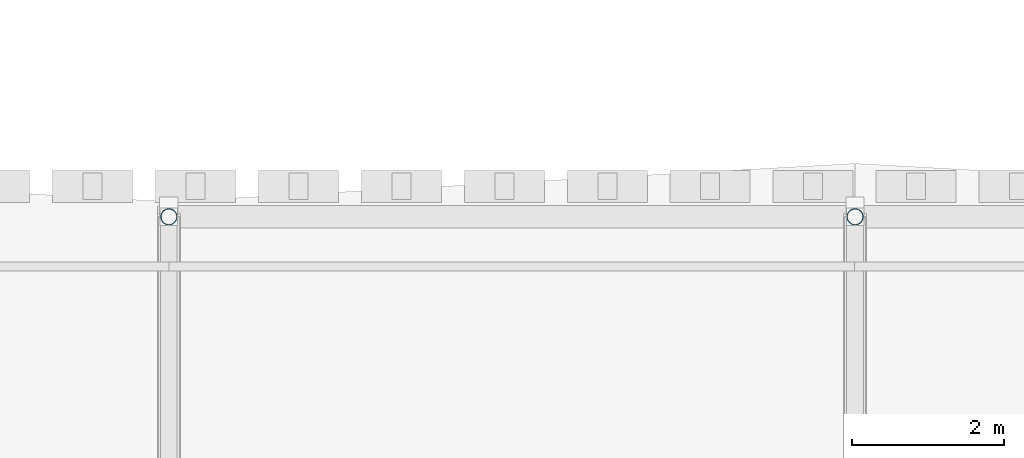
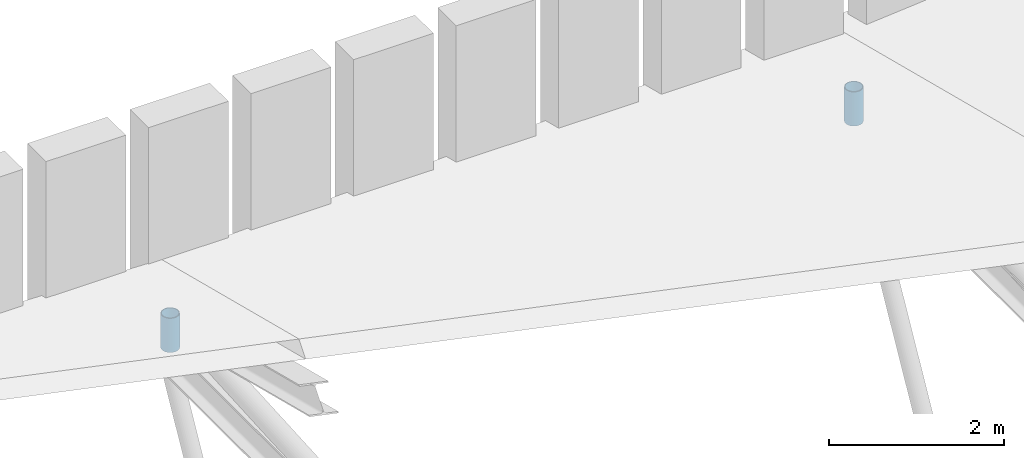
# One storey, part 30 of 42: 2 members.
"""IFC4 building model written with IfcOpenShell, lengths in metres."""

import ifcopenshell
import ifcopenshell.guid

model = None  # the IFC model being written
_history = None  # IfcOwnerHistory: only IFC2X3 demands one
_inside = {}  # id of a spatial element -> (the spatial element, [elements in it])
_under = {}  # id of a project, library or spatial element -> (it, [spatial elements below it])
_declared = {}  # id of a project -> (the project, [libraries it declares])
_typed = {}  # id of a type object -> (the type object, [elements of that type])
_made_of = {}  # id of a material, layer set ... -> (it, [elements and type objects made of it])


def new_model(schema):
    """Start an empty IFC model of exactly this schema.

    Asked for "IFC4X3", IfcOpenShell would pick the latest addendum, in which some entities
    have other attributes; the version numbers below select the first issue.
    IFC2X3 requires an IfcOwnerHistory on every rooted entity: one is made here for all.
    """
    global model, _history
    if schema == "IFC4X3":
        model = ifcopenshell.file(schema_version=(4, 3, 0, 0))
    else:
        model = ifcopenshell.file(schema=schema)
    _inside.clear()
    _under.clear()
    _declared.clear()
    _typed.clear()
    _made_of.clear()
    _history = None
    if model.schema == "IFC2X3":
        org = make("IfcOrganization", Name="unknown")
        user = make(
            "IfcPersonAndOrganization",
            ThePerson=make("IfcPerson", FamilyName="unknown"),
            TheOrganization=org,
        )
        app = make(
            "IfcApplication",
            ApplicationDeveloper=org,
            Version="unknown",
            ApplicationFullName="unknown",
            ApplicationIdentifier="unknown",
        )
        _history = make(
            "IfcOwnerHistory",
            OwningUser=user,
            OwningApplication=app,
            ChangeAction="ADDED",
            CreationDate=0,
        )
    return model


def make(cls, **values):
    """One entity of the class cls with the attributes given. An attribute that is None is left unset."""
    return model.create_entity(
        cls, **{name: value for name, value in values.items() if value is not None}
    )


def rooted(cls, **values):
    """An entity with a GlobalId (a new one), such as an element, a storey or a relation."""
    return make(cls, GlobalId=ifcopenshell.guid.new(), OwnerHistory=_history, **values)


def si_unit(unit_type, name, prefix=None):
    """IfcSIUnit, for example si_unit("LENGTHUNIT", "METRE", prefix="MILLI")."""
    return make("IfcSIUnit", UnitType=unit_type, Prefix=prefix, Name=name)


def assignment(units):
    """IfcUnitAssignment: the units of a project."""
    return None if units is None else make("IfcUnitAssignment", Units=units)


def point(xyz):
    """IfcCartesianPoint."""
    return None if xyz is None else make("IfcCartesianPoint", Coordinates=xyz)


def direction(xyz):
    """IfcDirection."""
    return None if xyz is None else make("IfcDirection", DirectionRatios=xyz)


def frame(location, z_axis=None, x_axis=None):
    """IfcAxis2Placement3D, a coordinate frame: its origin and axes. An axis left out is left unset."""
    return make(
        "IfcAxis2Placement3D",
        Location=point(location),
        Axis=direction(z_axis),
        RefDirection=direction(x_axis),
    )


def frame_2d(location, x_axis=None):
    """IfcAxis2Placement2D, a coordinate frame in the plane: its origin and x axis."""
    return make(
        "IfcAxis2Placement2D", Location=point(location), RefDirection=direction(x_axis)
    )


def origin():
    """The frame at (0, 0, 0) with its axes left unset."""
    return frame((0.0, 0.0, 0.0))


def origin_2d():
    """The frame at (0, 0) in the plane with its x axis left unset."""
    return frame_2d((0.0, 0.0))


def place(relative_to, where):
    """IfcLocalPlacement: puts the frame where relative to a parent placement (None: the world)."""
    return make(
        "IfcLocalPlacement", PlacementRelTo=relative_to, RelativePlacement=where
    )


def context(
    kind, dimensions, precision=None, world=None, true_north=None, identifier=None
):
    """IfcGeometricRepresentationContext, for example the 3D "Model" context."""
    return make(
        "IfcGeometricRepresentationContext",
        ContextIdentifier=identifier,
        ContextType=kind,
        CoordinateSpaceDimension=dimensions,
        Precision=precision,
        WorldCoordinateSystem=world,
        TrueNorth=true_north,
    )


def subcontext(parent, identifier, kind, view, scale=None):
    """IfcGeometricRepresentationSubContext, for example "Body" below "Model"."""
    return make(
        "IfcGeometricRepresentationSubContext",
        ContextIdentifier=identifier,
        ContextType=kind,
        ParentContext=parent,
        TargetScale=scale,
        TargetView=view,
    )


def project(units=None, contexts=None):
    """IfcProject with its units and contexts."""
    return rooted(
        "IfcProject",
        Name="project",
        RepresentationContexts=contexts,
        UnitsInContext=assignment(units),
    )


def spatial(cls, under=None, at=None, **own):
    """A site, building, storey or space (cls), placed at a placement, below another one or the project."""
    s = rooted(cls, ObjectPlacement=at, **own)
    if under is not None:
        _under.setdefault(under.id(), (under, []))[1].append(s)
    return s


def profile(cls, at=None, kind="AREA", **sizes):
    """A parametric profile (cls). Its sizes go by their IFC names, for example OverallWidth=200.0."""
    return make(cls, ProfileType=kind, Position=at, **sizes)


def hollow_circle(**sizes):
    """IfcCircleHollowProfileDef."""
    return profile("IfcCircleHollowProfileDef", **sizes)


def extrude(swept, where, along, depth):
    """IfcExtrudedAreaSolid: the profile swept, set in the frame where, extruded along a direction by depth."""
    return make(
        "IfcExtrudedAreaSolid",
        SweptArea=swept,
        Position=where,
        ExtrudedDirection=direction(along),
        Depth=depth,
    )


def shape(context_of_items, identifier, shape_type, items):
    """IfcShapeRepresentation: the items that make up one representation, for example the "Body"."""
    return make(
        "IfcShapeRepresentation",
        ContextOfItems=context_of_items,
        RepresentationIdentifier=identifier,
        RepresentationType=shape_type,
        Items=items,
    )


def material(Name=None, Category=None):
    """IfcMaterial."""
    return make("IfcMaterial", Name=Name, Category=Category)


def material_profile(
    of_material, cross_section, Name=None, Category=None, Priority=None
):
    """IfcMaterialProfile: a cross section and its material."""
    return make(
        "IfcMaterialProfile",
        Name=Name,
        Material=of_material,
        Profile=cross_section,
        Priority=Priority,
        Category=Category,
    )


def profile_set(profiles, Name=None, composite=None):
    """IfcMaterialProfileSet."""
    return make(
        "IfcMaterialProfileSet",
        Name=Name,
        MaterialProfiles=profiles,
        CompositeProfile=composite,
    )


def made_of(thing, what):
    """Note that an element or type object is made of a material, layer set ...; save() writes the relation."""
    if what is not None:
        _made_of.setdefault(what.id(), (what, []))[1].append(thing)
    return thing


def type_object(cls, material=None, **own):
    """A type object (cls), such as IfcWallType, which elements share."""
    return made_of(rooted(cls, **own), material)


def element(
    cls,
    number,
    at=None,
    inside=None,
    cuts=None,
    type_object=None,
    material=None,
    context=None,
    identifier="Body",
    shape_type=None,
    held_by="IfcProductDefinitionShape",
    body=None,
    shapes=None,
    **own,
):
    """One element of the class cls, such as IfcWall. Its Tag is "e" and its number.

    at: its placement. inside: the storey or other place that contains it. cuts: it is an
    opening in that element (IfcRelVoidsElement). A single representation is given by context,
    identifier, shape_type and body (its items); several are given by shapes. held_by: the class
    of the entity that holds the representations. save() writes the other relations.
    """
    e = rooted(cls, Tag="e%d" % number, ObjectPlacement=at, **own)
    if body is not None:
        shapes = [shape(context, identifier, shape_type, body)]
    if shapes is not None:
        e.Representation = make(held_by, Representations=shapes)
    if inside is not None:
        _inside.setdefault(inside.id(), (inside, []))[1].append(e)
    if cuts is not None:
        rooted(
            "IfcRelVoidsElement", RelatingBuildingElement=cuts, RelatedOpeningElement=e
        )
    if type_object is not None:
        _typed.setdefault(type_object.id(), (type_object, []))[1].append(e)
    return made_of(e, material)


def aggregate(whole, parts):
    """IfcRelAggregates: a whole, such as a stair, and the parts it consists of."""
    return rooted("IfcRelAggregates", RelatingObject=whole, RelatedObjects=parts)


def save(model, path):
    """Write the relations noted so far, then the file.

    IfcRelAggregates (storeys below a building ...), IfcRelContainedInSpatialStructure (elements
    in a storey), IfcRelDefinesByType, IfcRelAssociatesMaterial and IfcRelDeclares: one each for
    every whole, place, type object, material and project.
    """
    for whole, parts in _under.values():
        aggregate(whole, parts)
    for where, things in _inside.values():
        rooted(
            "IfcRelContainedInSpatialStructure",
            RelatedElements=things,
            RelatingStructure=where,
        )
    for kind, things in _typed.values():
        rooted("IfcRelDefinesByType", RelatedObjects=things, RelatingType=kind)
    for what, things in _made_of.values():
        rooted("IfcRelAssociatesMaterial", RelatedObjects=things, RelatingMaterial=what)
    for by, libraries in _declared.values():
        rooted("IfcRelDeclares", RelatingContext=by, RelatedDefinitions=libraries)
    model.write(path)


model = new_model("IFC4")

# Units and contexts
model_context = context("Model", 3, precision=1e-05, world=origin(), true_north=direction((0.0, 1.0)))
body_context = subcontext(model_context, "Body", "Model", "MODEL_VIEW")
ifc_project = project(units=[si_unit("LENGTHUNIT", "METRE"), si_unit("AREAUNIT", "SQUARE_METRE"), si_unit("VOLUMEUNIT", "CUBIC_METRE"), si_unit("PLANEANGLEUNIT", "RADIAN"), si_unit("MASSUNIT", "GRAM", prefix="KILO")], contexts=[model_context])

# Site, building, storey
site_placement = place(None, origin())
site = spatial("IfcSite", under=ifc_project, at=site_placement, CompositionType="ELEMENT")
building_placement = place(site_placement, origin())
building = spatial("IfcBuilding", under=site, at=building_placement, Name="Bozkorgan Art Gallery", CompositionType="ELEMENT")
storey_placement = place(building_placement, frame((0.0, 0.0, 28.800048828125)))
storey = spatial("IfcBuildingStorey", under=building, at=storey_placement, Name="RF", CompositionType="ELEMENT", Elevation=28.800048828125)

# Members
ifc_material = material(Name="Steel S355J2", Category="steel")
ifc_material_profile = material_profile(ifc_material, hollow_circle(Radius=0.109619140625, WallThickness=0.010009765625, at=origin_2d()), Name="CHS 219.1x10")
ifc_profile_set = profile_set([ifc_material_profile], Name="Steel S355J2")
member_type = type_object("IfcMemberType", Name="MEMBER-TP-78", PredefinedType="POST", material=ifc_profile_set)
for number, where, z_axis, x_axis, name in (
    (1, (47.0, 27.60009765625, 0.25), (0.0, 0.0, 1.0), (1.0, 0.0, 0.0), "ROOF-V1-MAIN roof truss 6 post 5"),
    (2, (56.0, 27.60009765625, 0.25), (0.0, 0.0, 1.0), (1.0, 0.0, 0.0), "ROOF-V1-MAIN roof truss 7 post 5"),
):
    element("IfcMember", number, at=place(storey_placement, frame(where, z_axis=z_axis, x_axis=x_axis)), inside=storey, type_object=member_type, Name=name, PredefinedType="POST", context=body_context, shape_type="SweptSolid", body=[
        extrude(hollow_circle(Radius=0.109619140625, WallThickness=0.010009765625, at=origin_2d()), origin(), (0.0, 0.0, 1.0), 0.4765625),
    ])

save(model, "model.ifc")
